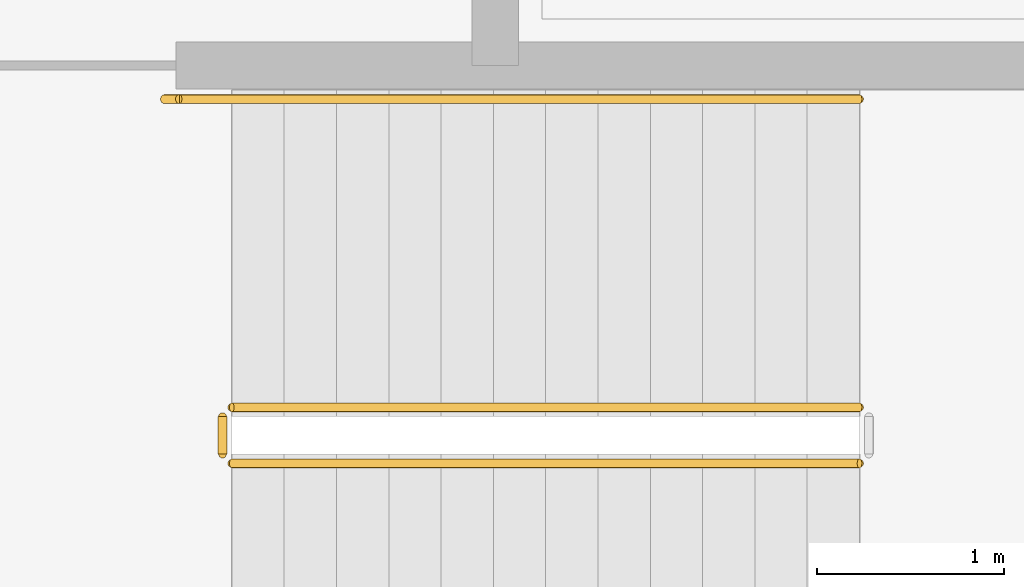
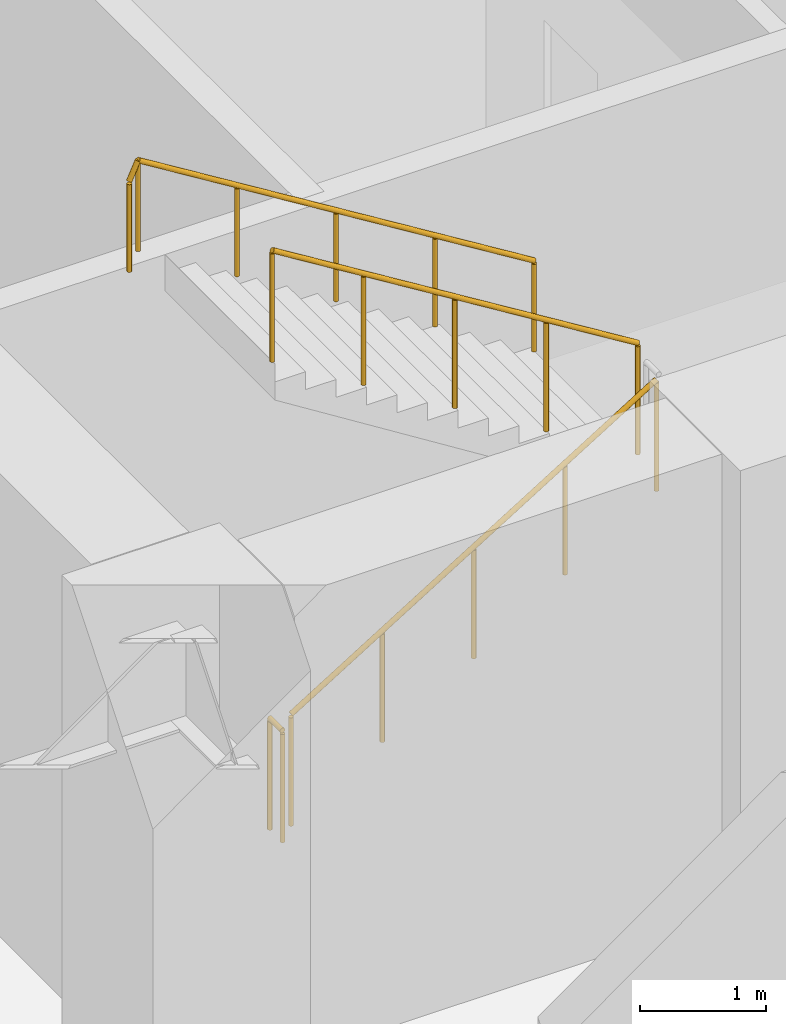
# One storey, part 31 of 35: 4 railings.
"""IFC4 building model written with IfcOpenShell, lengths in metres."""

from ifc_helpers import new_model, si_unit, direction, frame, origin, origin_2d, place, context, subcontext, project, spatial, circle, extrude, material, type_object, element, save


model = new_model("IFC4")

# Units and contexts
model_context = context("Model", 3, precision=1e-05, world=origin(), true_north=direction((0.0, 1.0)))
body_context = subcontext(model_context, "Body", "Model", "MODEL_VIEW")
ifc_project = project(units=[si_unit("LENGTHUNIT", "METRE"), si_unit("AREAUNIT", "SQUARE_METRE"), si_unit("VOLUMEUNIT", "CUBIC_METRE"), si_unit("PLANEANGLEUNIT", "RADIAN"), si_unit("MASSUNIT", "GRAM", prefix="KILO")], contexts=[model_context])

# Site, building, storey
site_placement = place(None, origin())
site = spatial("IfcSite", under=ifc_project, at=site_placement, CompositionType="ELEMENT")
building_placement = place(site_placement, origin())
building = spatial("IfcBuilding", under=site, at=building_placement, Name="Surkhivell Harbour Commons", CompositionType="ELEMENT")
storey_placement = place(building_placement, frame((0.0, 0.0, 13.5)))
storey = spatial("IfcBuildingStorey", under=building, at=storey_placement, Name="L03", CompositionType="ELEMENT", Elevation=13.5)

# Railings
ifc_material_1 = material(Name="Galvanised and painted steel S355 guard rail", Category="steel")
railing_type_1 = type_object("IfcRailingType", Name="RAL-ST-GRD1100", PredefinedType="GUARDRAIL", material=ifc_material_1)
railing_1_placement = place(storey_placement, frame((-8.590087890625, -8.639892578125, 0.173095703125)))
element("IfcRailing", 1, at=railing_1_placement, inside=storey, type_object=railing_type_1, Name="L03 ST3 stair guard 1", PredefinedType="GUARDRAIL", context=body_context, shape_type="SweptSolid", body=[
    extrude(circle(Radius=0.02392578125, at=origin_2d()), frame((0.0, 0.0, 1.076171875), z_axis=(0.850623216509, 0.0, 0.525775754039), x_axis=(0.0, 1.0, 0.0)), (0.0, 0.0, 1.0), 3.9501953125),
    extrude(circle(Radius=0.02099609375, at=origin_2d()), origin(), (0.0, 0.0, 1.0), 1.052001953125),
    extrude(circle(Radius=0.02099609375, at=origin_2d()), frame((0.840087890625, 0.0, 0.519287109375)), (0.0, 0.0, 1.0), 1.052001953125),
    extrude(circle(Radius=0.02099609375, at=origin_2d()), frame((1.68017578125, 0.0, 1.03857421875)), (0.0, 0.0, 1.0), 1.052001953125),
    extrude(circle(Radius=0.02099609375, at=origin_2d()), frame((2.52001953125, 0.0, 1.5576171875)), (0.0, 0.0, 1.0), 1.052001953125),
    extrude(circle(Radius=0.02099609375, at=origin_2d()), frame((3.360107421875, 0.0, 2.076904296875)), (0.0, 0.0, 1.0), 1.052001953125),
])
railing_2_placement = place(storey_placement, frame((-5.22998046875, -8.340087890625, 2.423095703125)))
element("IfcRailing", 2, at=railing_2_placement, inside=storey, type_object=railing_type_1, Name="L03 ST3 stair guard 3", PredefinedType="GUARDRAIL", context=body_context, shape_type="SweptSolid", body=[
    extrude(circle(Radius=0.02392578125, at=origin_2d()), frame((0.0, 0.0, 1.076171875), z_axis=(-0.850623216509, 0.0, 0.525775754039), x_axis=(0.0, -1.0, 0.0)), (0.0, 0.0, 1.0), 3.9501953125),
    extrude(circle(Radius=0.02099609375, at=origin_2d()), origin(), (0.0, 0.0, 1.0), 1.052001953125),
    extrude(circle(Radius=0.02099609375, at=origin_2d()), frame((-0.840087890625, 0.0, 0.519287109375)), (0.0, 0.0, 1.0), 1.052001953125),
    extrude(circle(Radius=0.02099609375, at=origin_2d()), frame((-1.68017578125, 0.0, 1.03857421875)), (0.0, 0.0, 1.0), 1.052001953125),
    extrude(circle(Radius=0.02099609375, at=origin_2d()), frame((-2.52001953125, 0.0, 1.5576171875)), (0.0, 0.0, 1.0), 1.052001953125),
    extrude(circle(Radius=0.02099609375, at=origin_2d()), frame((-3.360107421875, 0.0, 2.076904296875)), (0.0, 0.0, 1.0), 1.052001953125),
])
railing_3_placement = place(storey_placement, frame((-8.639892578125, -8.590087890625, 0.0)))
element("IfcRailing", 3, at=railing_3_placement, inside=storey, type_object=railing_type_1, Name="L03 ST3 stair guard 4", PredefinedType="GUARDRAIL", context=body_context, shape_type="SweptSolid", body=[
    extrude(circle(Radius=0.02392578125, at=origin_2d()), frame((0.0, 0.0, 1.076171875), z_axis=(0.0, 1.0, 0.0), x_axis=(-1.0, 0.0, 0.0)), (0.0, 0.0, 1.0), 0.2001953125),
    extrude(circle(Radius=0.02099609375, at=origin_2d()), origin(), (0.0, 0.0, 1.0), 1.052001953125),
    extrude(circle(Radius=0.02099609375, at=origin_2d()), frame((0.0, 0.2001953125, 0.0)), (0.0, 0.0, 1.0), 1.052001953125),
])
ifc_material_2 = material(Name="Brushed stainless steel S355 handrail", Category="steel")
railing_type_2 = type_object("IfcRailingType", Name="RAL-ST-HND900", PredefinedType="HANDRAIL", material=ifc_material_2)
railing_4_placement = place(storey_placement, frame((-5.22998046875, -6.68994140625, 2.423095703125)))
element("IfcRailing", 4, at=railing_4_placement, inside=storey, type_object=railing_type_2, Name="L03 ST3 stair handrail 2", PredefinedType="HANDRAIL", context=body_context, shape_type="SweptSolid", body=[
    extrude(circle(Radius=0.02392578125, at=origin_2d()), frame((0.0, 0.0, 0.8759765625), z_axis=(-0.850622404505, 0.0, 0.525777067734), x_axis=(0.0, -1.0, 0.0)), (0.0, 0.0, 1.0), 4.279296875),
    extrude(circle(Radius=0.02392578125, at=origin_2d()), frame((-3.64013671875, 0.0, 3.1259765625), z_axis=(-0.418814502111, 0.0, -0.908071810388), x_axis=(0.0, -1.0, 0.0)), (0.0, 0.0, 1.0), 0.190673828125),
    extrude(circle(Radius=0.02099609375, at=origin_2d()), origin(), (0.0, 0.0, 1.0), 0.851806640625),
    extrude(circle(Radius=0.02099609375, at=origin_2d()), frame((-0.91015625, 0.0, 0.5625)), (0.0, 0.0, 1.0), 0.851806640625),
    extrude(circle(Radius=0.02099609375, at=origin_2d()), frame((-1.820068359375, 0.0, 1.125)), (0.0, 0.0, 1.0), 0.851806640625),
    extrude(circle(Radius=0.02099609375, at=origin_2d()), frame((-2.72998046875, 0.0, 1.6875)), (0.0, 0.0, 1.0), 0.851806640625),
    extrude(circle(Radius=0.02099609375, at=origin_2d()), frame((-3.64013671875, 0.0, 2.25)), (0.0, 0.0, 1.0), 0.851806640625),
    extrude(circle(Radius=0.02099609375, at=origin_2d()), frame((-3.719970703125, 0.0, 2.076904296875)), (0.0, 0.0, 1.0), 0.851806640625),
])

save(model, "model.ifc")
